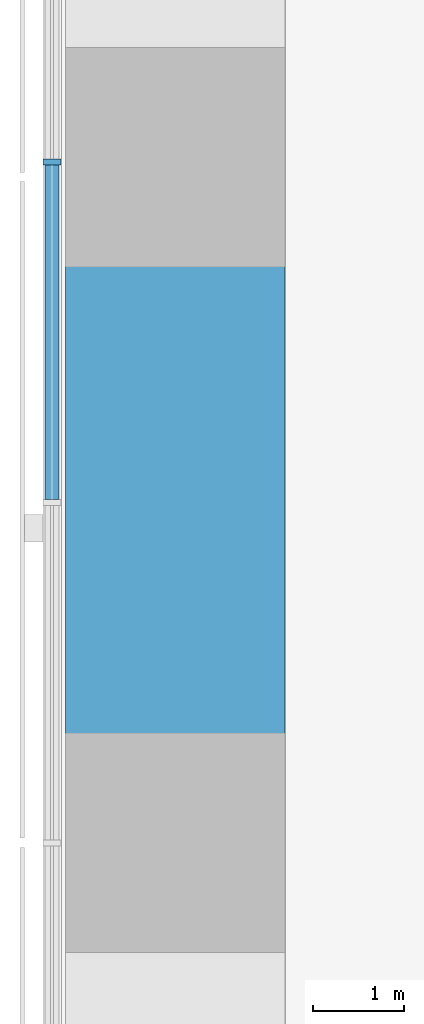
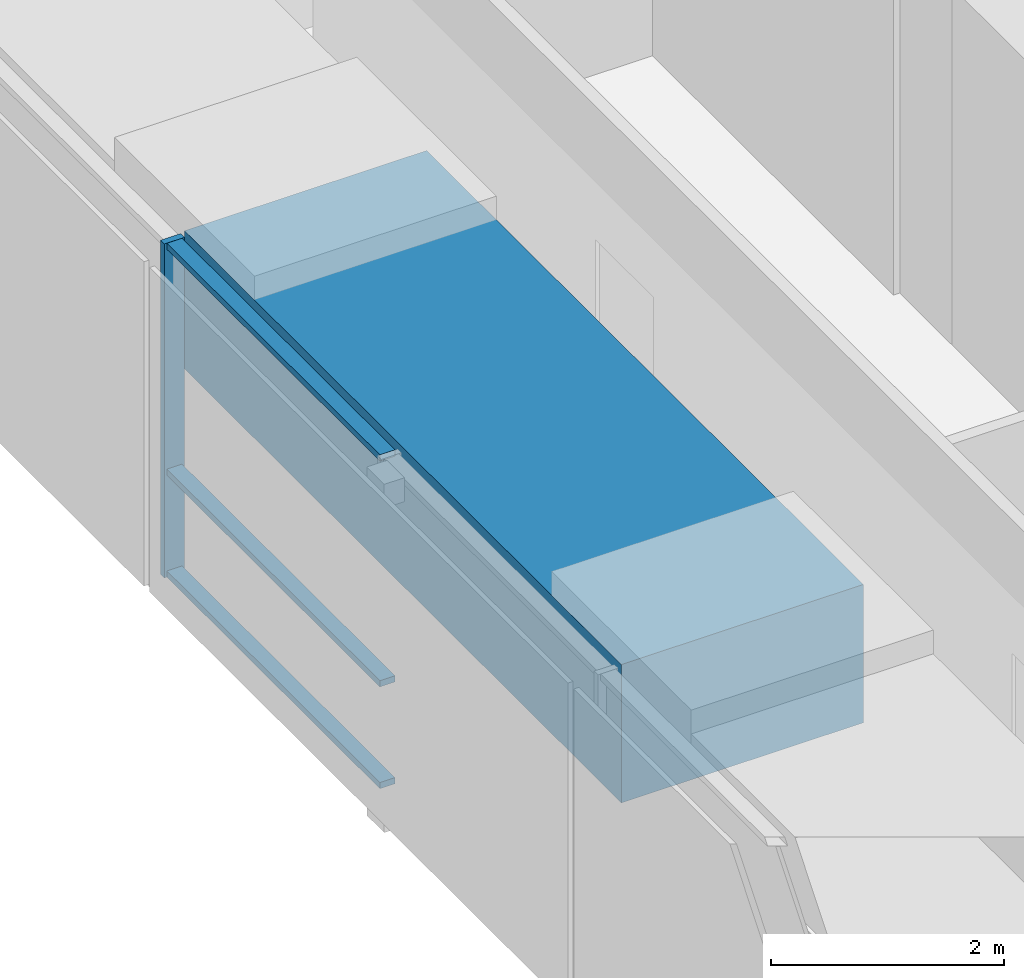
# One storey, part 3 of 17: 4 members, 1 beam, 1 element without a shape of its own.
"""IFC4 building model written with IfcOpenShell, lengths in metres."""

from ifc_helpers import new_model, si_unit, direction, frame, origin, origin_2d, place, context, subcontext, project, spatial, rectangle, extrude, material, material_profile, profile_set, type_object, element, aggregate, save


model = new_model("IFC4")

# Units and contexts
model_context = context("Model", 3, precision=1e-05, world=origin(), true_north=direction((0.0, 1.0)))
body_context = subcontext(model_context, "Body", "Model", "MODEL_VIEW")
ifc_project = project(units=[si_unit("LENGTHUNIT", "METRE"), si_unit("AREAUNIT", "SQUARE_METRE"), si_unit("VOLUMEUNIT", "CUBIC_METRE"), si_unit("PLANEANGLEUNIT", "RADIAN"), si_unit("MASSUNIT", "GRAM", prefix="KILO")], contexts=[model_context])

# Site, building, storey
site_placement = place(None, origin())
site = spatial("IfcSite", under=ifc_project, at=site_placement, CompositionType="ELEMENT")
building_placement = place(site_placement, origin())
building = spatial("IfcBuilding", under=site, at=building_placement, Name="Sheger Commons Tower", CompositionType="ELEMENT")
storey_placement = place(building_placement, frame((0.0, 0.0, 204.949951171875)))
storey = spatial("IfcBuildingStorey", under=building, at=storey_placement, Name="L52", CompositionType="ELEMENT", Elevation=204.949951171875)

# Curtain wall, member
ifc_material_1 = material(Name="Black aluminium curtain wall, dark tinted glazing", Category="aluminium")
curtain_wall_type = type_object("IfcCurtainWallType", Name="CURTAIN WALL CW4 GALLERY", PredefinedType="USERDEFINED", material=ifc_material_1)
curtain_wall_placement = place(storey_placement, origin())
curtain_wall = element("IfcCurtainWall", 1, at=curtain_wall_placement, inside=storey, type_object=curtain_wall_type, Name="Curtain Wall Cw4 Gallery W1 L52", ObjectType="UNITISED CURTAIN WALL", PredefinedType="USERDEFINED")
ifc_material_2 = material(Name="Black anodised aluminium", Category="aluminium")
ifc_material_profile_1 = material_profile(ifc_material_2, rectangle(XDim=0.199951171875, YDim=0.06494140625, at=origin_2d()), Name="AL 65x200")
ifc_profile_set_1 = profile_set([ifc_material_profile_1], Name="Black anodised aluminium")
member_type_1 = type_object("IfcMemberType", Name="MULLION AL 65x200", PredefinedType="MULLION", material=ifc_profile_set_1)
member_1_placement = place(storey_placement, frame((6.449951171875, 29.946044921875, 0.0), z_axis=(0.0, 0.0, 1.0), x_axis=(1.0, 0.0, 0.0)))
member_1 = element("IfcMember", 2, at=member_1_placement, type_object=member_type_1, Name="CW4 mullion 8", PredefinedType="MULLION", context=body_context, shape_type="SweptSolid", body=[
    extrude(rectangle(XDim=0.199951171875, YDim=0.06494140625, at=origin_2d()), origin(), (0.0, 0.0, 1.0), 3.5),
])

# Beam
ifc_material_3 = material(Name="Concrete C50/60", Category="concrete")
ifc_material_profile_2 = material_profile(ifc_material_3, rectangle(XDim=2.39990234375, YDim=1.449951171875, at=origin_2d()), Name="RC 2400x1450")
ifc_profile_set_2 = profile_set([ifc_material_profile_2], Name="Concrete C50/60")
beam_type = type_object("IfcBeamType", Name="SPANDREL RC 2400x1450", PredefinedType="SPANDREL", material=ifc_profile_set_2)
beam_placement = place(storey_placement, frame((7.800048828125, 30.0, 2.775146484375), z_axis=(0.0, -1.0, 0.0), x_axis=(1.0, 0.0, 0.0)))
element("IfcBeam", 3, at=beam_placement, inside=storey, type_object=beam_type, Name="Beam 2/E-2/D under L53", PredefinedType="SPANDREL", context=body_context, shape_type="SweptSolid", body=[
    extrude(rectangle(XDim=2.39990234375, YDim=1.449951171875, at=origin_2d()), origin(), (0.0, 0.0, 1.0), 7.5),
])

# Member
ifc_material_4 = material(Name="Black anodised aluminium", Category="aluminium")
ifc_material_profile_3 = material_profile(ifc_material_4, rectangle(XDim=0.14990234375, YDim=0.06494140625, at=origin_2d()), Name="AL 65x150")
ifc_profile_set_3 = profile_set([ifc_material_profile_3], Name="Black anodised aluminium")
member_type_2 = type_object("IfcMemberType", Name="TRANSOM AL 65x150", PredefinedType="USERDEFINED", material=ifc_profile_set_3)
member_2_placement = place(storey_placement, frame((6.449951171875, 29.91357421875, 0.032470703125), z_axis=(0.0, -1.0, 0.0), x_axis=(1.0, 0.0, 0.0)))
member_2 = element("IfcMember", 4, at=member_2_placement, type_object=member_type_2, Name="CW4 transom 8.1", ObjectType="TRANSOM", PredefinedType="USERDEFINED", context=body_context, shape_type="SweptSolid", body=[
    extrude(rectangle(XDim=0.14990234375, YDim=0.06494140625, at=origin_2d()), origin(), (0.0, 0.0, 1.0), 3.657958984375),
])

member_3_placement = place(storey_placement, frame((6.449951171875, 29.91357421875, 1.10009765625), z_axis=(0.0, -1.0, 0.0), x_axis=(1.0, 0.0, 0.0)))
member_3 = element("IfcMember", 5, at=member_3_placement, type_object=member_type_2, Name="CW4 transom 8.2", ObjectType="TRANSOM", PredefinedType="USERDEFINED", context=body_context, shape_type="SweptSolid", body=[
    extrude(rectangle(XDim=0.14990234375, YDim=0.06494140625, at=origin_2d()), origin(), (0.0, 0.0, 1.0), 3.657958984375),
])

member_4_placement = place(storey_placement, frame((6.449951171875, 29.91357421875, 3.467529296875), z_axis=(0.0, -1.0, 0.0), x_axis=(1.0, 0.0, 0.0)))
member_4 = element("IfcMember", 6, at=member_4_placement, type_object=member_type_2, Name="CW4 transom 8.3", ObjectType="TRANSOM", PredefinedType="USERDEFINED", context=body_context, shape_type="SweptSolid", body=[
    extrude(rectangle(XDim=0.14990234375, YDim=0.06494140625, at=origin_2d()), origin(), (0.0, 0.0, 1.0), 3.657958984375),
])

aggregate(curtain_wall, [member_1, member_2, member_3, member_4])

save(model, "model.ifc")
